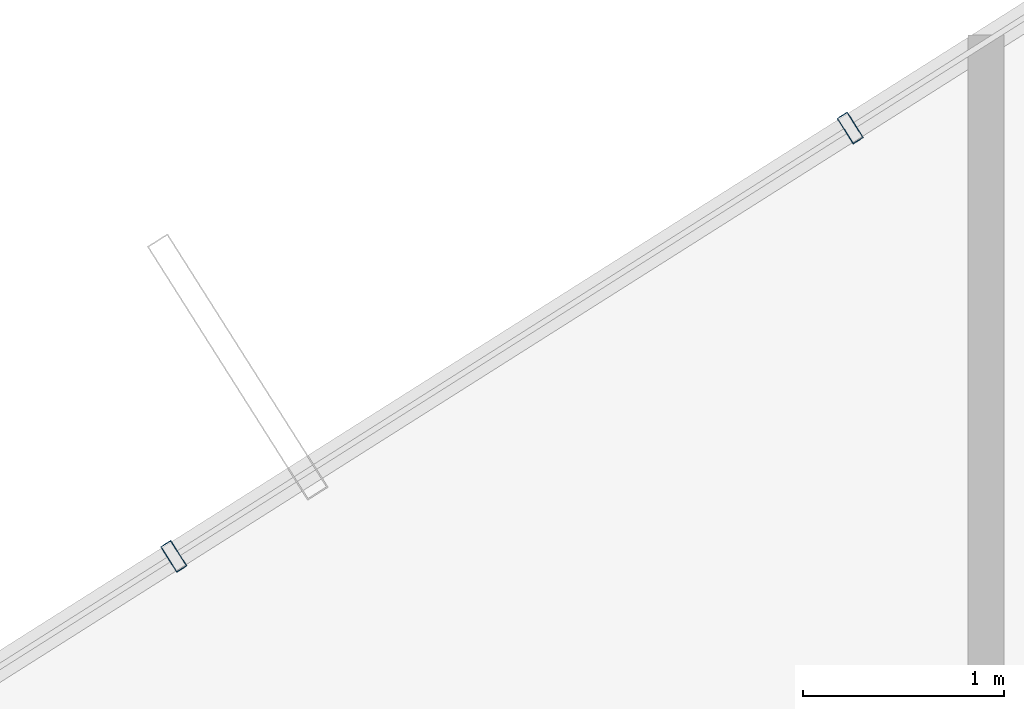
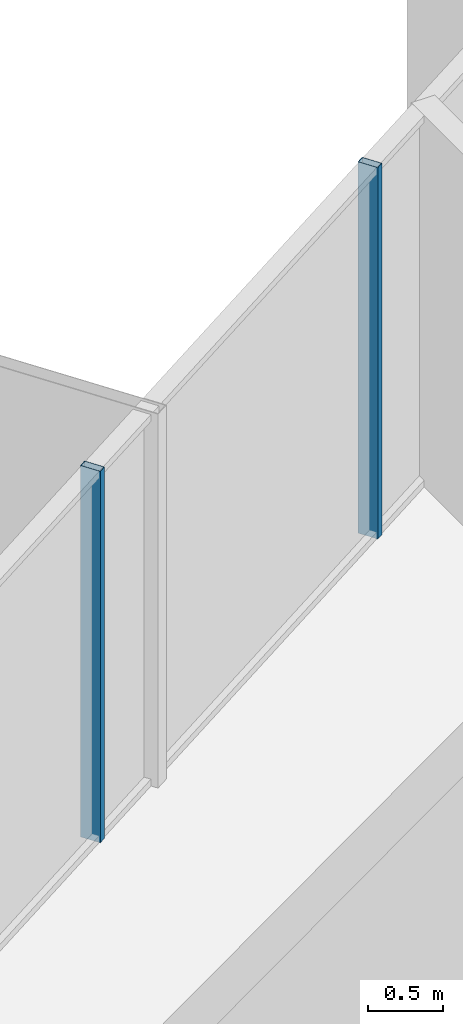
# One storey, part 22 of 33: 2 members, 1 element without a shape of its own.
"""IFC4 building model written with IfcOpenShell, lengths in metres."""

import ifcopenshell
import ifcopenshell.guid

model = None  # the IFC model being written
_history = None  # IfcOwnerHistory: only IFC2X3 demands one
_inside = {}  # id of a spatial element -> (the spatial element, [elements in it])
_under = {}  # id of a project, library or spatial element -> (it, [spatial elements below it])
_declared = {}  # id of a project -> (the project, [libraries it declares])
_typed = {}  # id of a type object -> (the type object, [elements of that type])
_made_of = {}  # id of a material, layer set ... -> (it, [elements and type objects made of it])


def new_model(schema):
    """Start an empty IFC model of exactly this schema.

    Asked for "IFC4X3", IfcOpenShell would pick the latest addendum, in which some entities
    have other attributes; the version numbers below select the first issue.
    IFC2X3 requires an IfcOwnerHistory on every rooted entity: one is made here for all.
    """
    global model, _history
    if schema == "IFC4X3":
        model = ifcopenshell.file(schema_version=(4, 3, 0, 0))
    else:
        model = ifcopenshell.file(schema=schema)
    _inside.clear()
    _under.clear()
    _declared.clear()
    _typed.clear()
    _made_of.clear()
    _history = None
    if model.schema == "IFC2X3":
        org = make("IfcOrganization", Name="unknown")
        user = make(
            "IfcPersonAndOrganization",
            ThePerson=make("IfcPerson", FamilyName="unknown"),
            TheOrganization=org,
        )
        app = make(
            "IfcApplication",
            ApplicationDeveloper=org,
            Version="unknown",
            ApplicationFullName="unknown",
            ApplicationIdentifier="unknown",
        )
        _history = make(
            "IfcOwnerHistory",
            OwningUser=user,
            OwningApplication=app,
            ChangeAction="ADDED",
            CreationDate=0,
        )
    return model


def make(cls, **values):
    """One entity of the class cls with the attributes given. An attribute that is None is left unset."""
    return model.create_entity(
        cls, **{name: value for name, value in values.items() if value is not None}
    )


def rooted(cls, **values):
    """An entity with a GlobalId (a new one), such as an element, a storey or a relation."""
    return make(cls, GlobalId=ifcopenshell.guid.new(), OwnerHistory=_history, **values)


def si_unit(unit_type, name, prefix=None):
    """IfcSIUnit, for example si_unit("LENGTHUNIT", "METRE", prefix="MILLI")."""
    return make("IfcSIUnit", UnitType=unit_type, Prefix=prefix, Name=name)


def assignment(units):
    """IfcUnitAssignment: the units of a project."""
    return None if units is None else make("IfcUnitAssignment", Units=units)


def point(xyz):
    """IfcCartesianPoint."""
    return None if xyz is None else make("IfcCartesianPoint", Coordinates=xyz)


def direction(xyz):
    """IfcDirection."""
    return None if xyz is None else make("IfcDirection", DirectionRatios=xyz)


def frame(location, z_axis=None, x_axis=None):
    """IfcAxis2Placement3D, a coordinate frame: its origin and axes. An axis left out is left unset."""
    return make(
        "IfcAxis2Placement3D",
        Location=point(location),
        Axis=direction(z_axis),
        RefDirection=direction(x_axis),
    )


def frame_2d(location, x_axis=None):
    """IfcAxis2Placement2D, a coordinate frame in the plane: its origin and x axis."""
    return make(
        "IfcAxis2Placement2D", Location=point(location), RefDirection=direction(x_axis)
    )


def origin():
    """The frame at (0, 0, 0) with its axes left unset."""
    return frame((0.0, 0.0, 0.0))


def origin_2d():
    """The frame at (0, 0) in the plane with its x axis left unset."""
    return frame_2d((0.0, 0.0))


def place(relative_to, where):
    """IfcLocalPlacement: puts the frame where relative to a parent placement (None: the world)."""
    return make(
        "IfcLocalPlacement", PlacementRelTo=relative_to, RelativePlacement=where
    )


def context(
    kind, dimensions, precision=None, world=None, true_north=None, identifier=None
):
    """IfcGeometricRepresentationContext, for example the 3D "Model" context."""
    return make(
        "IfcGeometricRepresentationContext",
        ContextIdentifier=identifier,
        ContextType=kind,
        CoordinateSpaceDimension=dimensions,
        Precision=precision,
        WorldCoordinateSystem=world,
        TrueNorth=true_north,
    )


def subcontext(parent, identifier, kind, view, scale=None):
    """IfcGeometricRepresentationSubContext, for example "Body" below "Model"."""
    return make(
        "IfcGeometricRepresentationSubContext",
        ContextIdentifier=identifier,
        ContextType=kind,
        ParentContext=parent,
        TargetScale=scale,
        TargetView=view,
    )


def project(units=None, contexts=None):
    """IfcProject with its units and contexts."""
    return rooted(
        "IfcProject",
        Name="project",
        RepresentationContexts=contexts,
        UnitsInContext=assignment(units),
    )


def spatial(cls, under=None, at=None, **own):
    """A site, building, storey or space (cls), placed at a placement, below another one or the project."""
    s = rooted(cls, ObjectPlacement=at, **own)
    if under is not None:
        _under.setdefault(under.id(), (under, []))[1].append(s)
    return s


def profile(cls, at=None, kind="AREA", **sizes):
    """A parametric profile (cls). Its sizes go by their IFC names, for example OverallWidth=200.0."""
    return make(cls, ProfileType=kind, Position=at, **sizes)


def hollow_rectangle(**sizes):
    """IfcRectangleHollowProfileDef."""
    return profile("IfcRectangleHollowProfileDef", **sizes)


def extrude(swept, where, along, depth):
    """IfcExtrudedAreaSolid: the profile swept, set in the frame where, extruded along a direction by depth."""
    return make(
        "IfcExtrudedAreaSolid",
        SweptArea=swept,
        Position=where,
        ExtrudedDirection=direction(along),
        Depth=depth,
    )


def shape(context_of_items, identifier, shape_type, items):
    """IfcShapeRepresentation: the items that make up one representation, for example the "Body"."""
    return make(
        "IfcShapeRepresentation",
        ContextOfItems=context_of_items,
        RepresentationIdentifier=identifier,
        RepresentationType=shape_type,
        Items=items,
    )


def source(mapping_origin, context_of_items, identifier, shape_type, items):
    """IfcRepresentationMap: a shape defined once, which mapped items show again and again."""
    return make(
        "IfcRepresentationMap",
        MappingOrigin=mapping_origin,
        MappedRepresentation=shape(context_of_items, identifier, shape_type, items),
    )


def transform(
    local_origin,
    x_axis=None,
    y_axis=None,
    z_axis=None,
    scale=None,
    scale2=None,
    scale3=None,
    uniform=True,
):
    """IfcCartesianTransformationOperator3D, or its non-uniform kind. x_axis, y_axis, z_axis: its Axis1, 2, 3."""
    if uniform:
        return make(
            "IfcCartesianTransformationOperator3D",
            Axis1=direction(x_axis),
            Axis2=direction(y_axis),
            LocalOrigin=point(local_origin),
            Scale=scale,
            Axis3=direction(z_axis),
        )
    return make(
        "IfcCartesianTransformationOperator3DnonUniform",
        Axis1=direction(x_axis),
        Axis2=direction(y_axis),
        LocalOrigin=point(local_origin),
        Scale=scale,
        Axis3=direction(z_axis),
        Scale2=scale2,
        Scale3=scale3,
    )


def mapped(mapping_source, mapping_target):
    """IfcMappedItem: shows the shape of a source again, moved by a transform."""
    return make(
        "IfcMappedItem", MappingSource=mapping_source, MappingTarget=mapping_target
    )


def material(Name=None, Category=None):
    """IfcMaterial."""
    return make("IfcMaterial", Name=Name, Category=Category)


def layer(
    of_material, thickness, ventilated=None, Name=None, Category=None, Priority=None
):
    """IfcMaterialLayer: one layer of a wall or slab, of a material (None: an air gap)."""
    return make(
        "IfcMaterialLayer",
        Material=of_material,
        LayerThickness=thickness,
        IsVentilated=ventilated,
        Name=Name,
        Category=Category,
        Priority=Priority,
    )


def layer_set(layers, Name=None):
    """IfcMaterialLayerSet."""
    return make("IfcMaterialLayerSet", MaterialLayers=layers, LayerSetName=Name)


def material_profile(
    of_material, cross_section, Name=None, Category=None, Priority=None
):
    """IfcMaterialProfile: a cross section and its material."""
    return make(
        "IfcMaterialProfile",
        Name=Name,
        Material=of_material,
        Profile=cross_section,
        Priority=Priority,
        Category=Category,
    )


def profile_set(profiles, Name=None, composite=None):
    """IfcMaterialProfileSet."""
    return make(
        "IfcMaterialProfileSet",
        Name=Name,
        MaterialProfiles=profiles,
        CompositeProfile=composite,
    )


def made_of(thing, what):
    """Note that an element or type object is made of a material, layer set ...; save() writes the relation."""
    if what is not None:
        _made_of.setdefault(what.id(), (what, []))[1].append(thing)
    return thing


def type_object(cls, material=None, **own):
    """A type object (cls), such as IfcWallType, which elements share."""
    return made_of(rooted(cls, **own), material)


def element(
    cls,
    number,
    at=None,
    inside=None,
    cuts=None,
    type_object=None,
    material=None,
    context=None,
    identifier="Body",
    shape_type=None,
    held_by="IfcProductDefinitionShape",
    body=None,
    shapes=None,
    **own,
):
    """One element of the class cls, such as IfcWall. Its Tag is "e" and its number.

    at: its placement. inside: the storey or other place that contains it. cuts: it is an
    opening in that element (IfcRelVoidsElement). A single representation is given by context,
    identifier, shape_type and body (its items); several are given by shapes. held_by: the class
    of the entity that holds the representations. save() writes the other relations.
    """
    e = rooted(cls, Tag="e%d" % number, ObjectPlacement=at, **own)
    if body is not None:
        shapes = [shape(context, identifier, shape_type, body)]
    if shapes is not None:
        e.Representation = make(held_by, Representations=shapes)
    if inside is not None:
        _inside.setdefault(inside.id(), (inside, []))[1].append(e)
    if cuts is not None:
        rooted(
            "IfcRelVoidsElement", RelatingBuildingElement=cuts, RelatedOpeningElement=e
        )
    if type_object is not None:
        _typed.setdefault(type_object.id(), (type_object, []))[1].append(e)
    return made_of(e, material)


def aggregate(whole, parts):
    """IfcRelAggregates: a whole, such as a stair, and the parts it consists of."""
    return rooted("IfcRelAggregates", RelatingObject=whole, RelatedObjects=parts)


def save(model, path):
    """Write the relations noted so far, then the file.

    IfcRelAggregates (storeys below a building ...), IfcRelContainedInSpatialStructure (elements
    in a storey), IfcRelDefinesByType, IfcRelAssociatesMaterial and IfcRelDeclares: one each for
    every whole, place, type object, material and project.
    """
    for whole, parts in _under.values():
        aggregate(whole, parts)
    for where, things in _inside.values():
        rooted(
            "IfcRelContainedInSpatialStructure",
            RelatedElements=things,
            RelatingStructure=where,
        )
    for kind, things in _typed.values():
        rooted("IfcRelDefinesByType", RelatedObjects=things, RelatingType=kind)
    for what, things in _made_of.values():
        rooted("IfcRelAssociatesMaterial", RelatedObjects=things, RelatingMaterial=what)
    for by, libraries in _declared.values():
        rooted("IfcRelDeclares", RelatingContext=by, RelatedDefinitions=libraries)
    model.write(path)


model = new_model("IFC4")

# Units and contexts
model_context = context("Model", 3, precision=1e-05, world=origin(), true_north=direction((0.0, 1.0)))
body_context = subcontext(model_context, "Body", "Model", "MODEL_VIEW")
ifc_project = project(units=[si_unit("LENGTHUNIT", "METRE"), si_unit("AREAUNIT", "SQUARE_METRE"), si_unit("VOLUMEUNIT", "CUBIC_METRE"), si_unit("PLANEANGLEUNIT", "RADIAN"), si_unit("MASSUNIT", "GRAM", prefix="KILO")], contexts=[model_context])

# Site, building, storey
site_placement = place(None, origin())
site = spatial("IfcSite", under=ifc_project, at=site_placement, CompositionType="ELEMENT")
building_placement = place(site_placement, origin())
building = spatial("IfcBuilding", under=site, at=building_placement, Name="Veraguas Prism Commons", CompositionType="ELEMENT")
storey_placement = place(building_placement, frame((0.0, 0.0, 198.35009765625)))
storey = spatial("IfcBuildingStorey", under=building, at=storey_placement, Name="L56", CompositionType="ELEMENT", Elevation=198.35009765625)

# Curtain wall, members
ifc_material = material(Name="Anodised aluminium EN AW-6063 T6", Category="aluminium")
ifc_layer = layer(ifc_material, 0.14990234375, Name="Unitised Flush Curtain Wall Zone 3", Category="aluminium")
ifc_layer_set = layer_set([ifc_layer], Name="Anodised aluminium EN AW-6063 T6")
curtain_wall_type = type_object("IfcCurtainWallType", Name="Unitised Flush Curtain Wall Zone 3", PredefinedType="NOTDEFINED", material=ifc_layer_set)
curtain_wall_placement = place(storey_placement, origin())
curtain_wall = element("IfcCurtainWall", 1, at=curtain_wall_placement, inside=storey, type_object=curtain_wall_type, Name="Tower Facade Curtain Wall L56-F2", PredefinedType="NOTDEFINED")
ifc_material_profile = material_profile(ifc_material, hollow_rectangle(XDim=0.06005859375, YDim=0.14990234375, WallThickness=0.0029296875, at=origin_2d()), Name="AL60X150X3")
ifc_profile_set = profile_set([ifc_material_profile], Name="Anodised aluminium EN AW-6063 T6")
member_type = type_object("IfcMemberType", Name="Curtain Wall Mullion Upper AL 60x150x3", PredefinedType="MULLION", material=ifc_profile_set)
shared_shape = source(origin(), body_context, "Body", "SweptSolid", [
    extrude(hollow_rectangle(XDim=0.06005859375, YDim=0.14990234375, WallThickness=0.0029296875, at=origin_2d()), origin(), (0.0, 0.0, 1.0), 3.014892578125),
])
member_1_placement = place(storey_placement, frame((14.526123046875, 38.963134765625, 0.0), z_axis=(0.0, 0.0, 1.0), x_axis=(-0.844886711646, -0.534945272419, 0.0)))
member_1 = element("IfcMember", 2, at=member_1_placement, type_object=member_type, Name="CW-Z3 Mullion 3", PredefinedType="MULLION", context=body_context, shape_type="MappedRepresentation", body=[
    mapped(shared_shape, transform((0.0, 0.0, 0.0), scale=1.0)),
])
member_2_placement = place(storey_placement, frame((11.167236328125, 36.83642578125, 0.0), z_axis=(0.0, 0.0, 1.0), x_axis=(-0.844886711646, -0.534945272419, 0.0)))
member_2 = element("IfcMember", 3, at=member_2_placement, type_object=member_type, Name="CW-Z3 Mullion 4", PredefinedType="MULLION", context=body_context, shape_type="MappedRepresentation", body=[
    mapped(shared_shape, transform((0.0, 0.0, 0.0), scale=1.0)),
])
aggregate(curtain_wall, [member_1, member_2])

save(model, "model.ifc")
